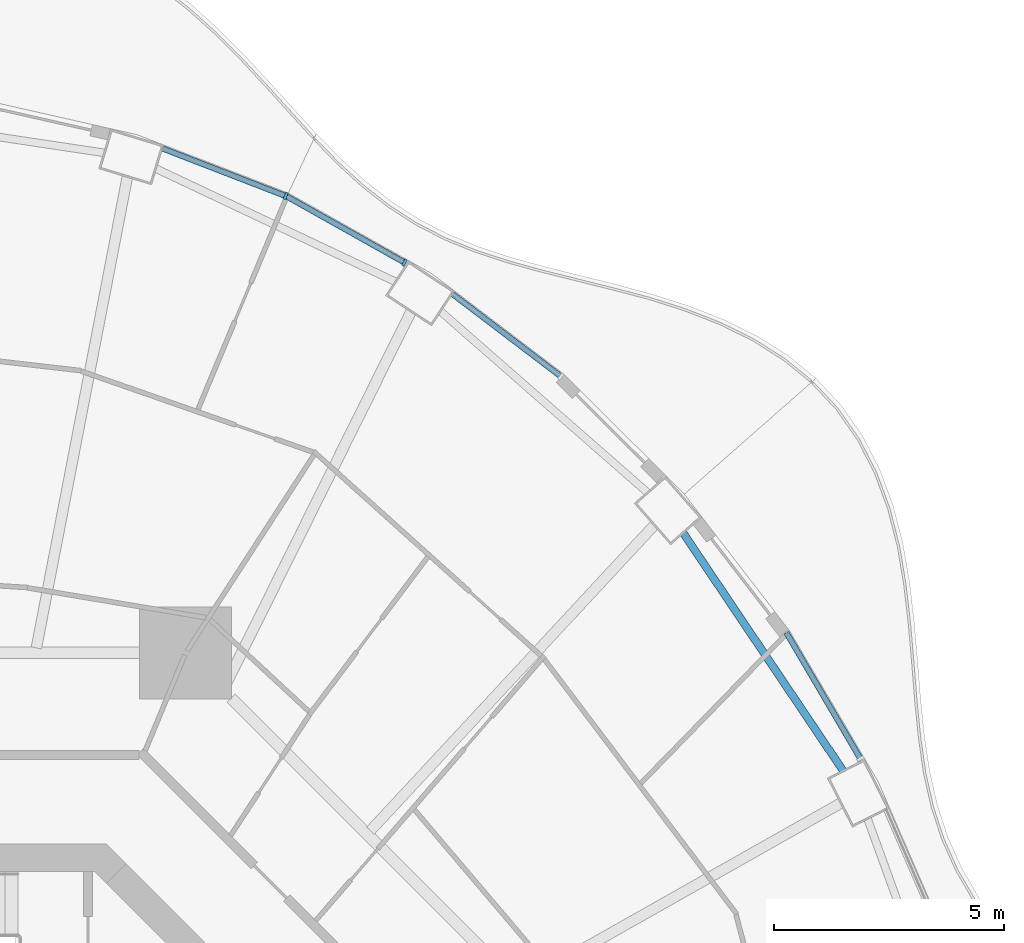
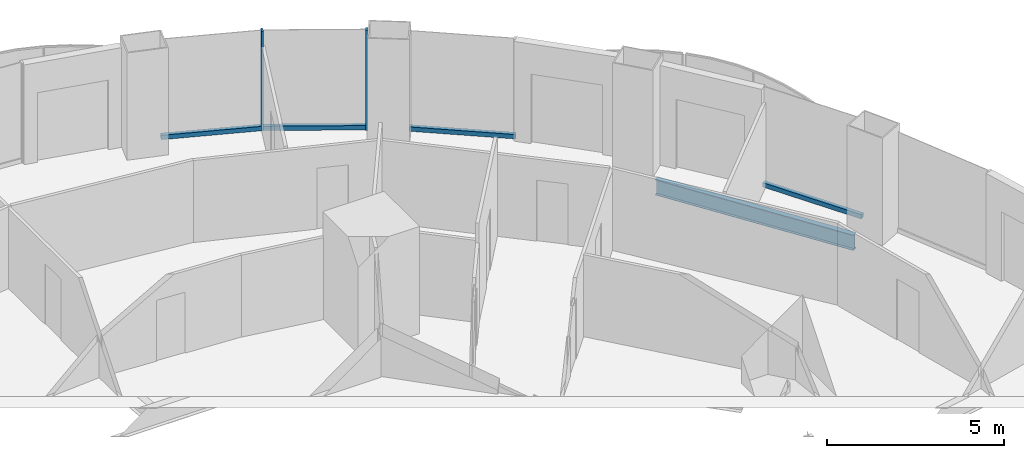
# One storey, part 9 of 20: 6 members, 1 beam, 4 elements without a shape of their own.
"""IFC4 building model written with IfcOpenShell, lengths in metres."""

from ifc_helpers import new_model, si_unit, direction, frame, origin, origin_2d, place, context, subcontext, project, spatial, rectangle, i_section, extrude, material, layer, layer_set, material_profile, profile_set, type_object, element, aggregate, save


model = new_model("IFC4")

# Units and contexts
model_context = context("Model", 3, precision=1e-05, world=origin(), true_north=direction((0.0, 1.0)))
body_context = subcontext(model_context, "Body", "Model", "MODEL_VIEW")
ifc_project = project(units=[si_unit("LENGTHUNIT", "METRE"), si_unit("AREAUNIT", "SQUARE_METRE"), si_unit("VOLUMEUNIT", "CUBIC_METRE"), si_unit("PLANEANGLEUNIT", "RADIAN"), si_unit("MASSUNIT", "GRAM", prefix="KILO")], contexts=[model_context])

# Site, building, storey
site_placement = place(None, origin())
site = spatial("IfcSite", under=ifc_project, at=site_placement, CompositionType="ELEMENT")
building_placement = place(site_placement, origin())
building = spatial("IfcBuilding", under=site, at=building_placement, Name="Nagisa Residences", CompositionType="ELEMENT")
storey_placement = place(building_placement, frame((0.0, 0.0, 141.800048828125)))
storey = spatial("IfcBuildingStorey", under=building, at=storey_placement, Name="L35", CompositionType="ELEMENT", Elevation=141.800048828125)

# Curtain wall, member
ifc_material_1 = material(Name="Concrete-coloured aluminium curtain wall system", Category="concrete")
ifc_layer = layer(ifc_material_1, 0.159912109375)
ifc_layer_set = layer_set([ifc_layer], Name="CW1 CURTAIN WALL")
curtain_wall_type = type_object("IfcCurtainWallType", Name="CW1 CURTAIN WALL", PredefinedType="NOTDEFINED", material=ifc_layer_set)
curtain_wall_1_placement = place(storey_placement, origin())
curtain_wall_1 = element("IfcCurtainWall", 1, at=curtain_wall_1_placement, inside=storey, type_object=curtain_wall_type, Name="cw:CW1:L35:08", PredefinedType="NOTDEFINED")
ifc_material_2 = material(Name="Concrete-coloured aluminium", Category="concrete")
ifc_material_profile_1 = material_profile(ifc_material_2, rectangle(XDim=0.159912109375, YDim=0.06005859375, at=origin_2d()), Name="CW1 MULLION 160x60")
ifc_profile_set_1 = profile_set([ifc_material_profile_1], Name="Concrete-coloured aluminium")
member_type_1 = type_object("IfcMemberType", Name="CW1 MULLION 160x60", PredefinedType="MULLION", material=ifc_profile_set_1)
member_1_placement = place(storey_placement, frame((10.87890625, 23.2705078125, 0.0), z_axis=(0.0, 0.0, 1.0), x_axis=(-0.489376918501, -0.872072377523, 0.0)))
member_1 = element("IfcMember", 2, at=member_1_placement, type_object=member_type_1, Name="CW1 mullion", PredefinedType="MULLION", context=body_context, shape_type="SweptSolid", body=[
    extrude(rectangle(XDim=0.159912109375, YDim=0.06005859375, at=origin_2d()), origin(), (0.0, 0.0, 1.0), 3.43994140625),
])

curtain_wall_2_placement = place(storey_placement, origin())
curtain_wall_2 = element("IfcCurtainWall", 3, at=curtain_wall_2_placement, inside=storey, type_object=curtain_wall_type, Name="cw:CW1:L35:09", PredefinedType="NOTDEFINED")
member_2_placement = place(storey_placement, frame((8.297607421875, 24.715087890625, 0.0), z_axis=(0.0, 0.0, 1.0), x_axis=(-0.360327770268, -0.932825759707, 0.0)))
member_2 = element("IfcMember", 4, at=member_2_placement, type_object=member_type_1, Name="CW1 mullion", PredefinedType="MULLION", context=body_context, shape_type="SweptSolid", body=[
    extrude(rectangle(XDim=0.159912109375, YDim=0.06005859375, at=origin_2d()), origin(), (0.0, 0.0, 1.0), 3.43994140625),
])

curtain_wall_3_placement = place(storey_placement, origin())
curtain_wall_3 = element("IfcCurtainWall", 5, at=curtain_wall_3_placement, inside=storey, type_object=curtain_wall_type, Name="cw:CW1:L35:04", PredefinedType="NOTDEFINED")
ifc_material_3 = material(Name="Concrete-coloured aluminium", Category="concrete")
ifc_material_profile_2 = material_profile(ifc_material_3, rectangle(XDim=0.1201171875, YDim=0.14990234375, at=origin_2d()), Name="CW1 TRANSOM 120x150")
ifc_profile_set_2 = profile_set([ifc_material_profile_2], Name="Concrete-coloured aluminium")
member_type_2 = type_object("IfcMemberType", Name="CW1 TRANSOM 120x150", PredefinedType="USERDEFINED", material=ifc_profile_set_2)
member_3_placement = place(storey_placement, frame((20.80712890625, 12.456787109375, 0.074951171875), z_axis=(-0.506348207891, 0.86232910908, 0.0), x_axis=(-0.86232910908, -0.506348207891, 0.0)))
member_3 = element("IfcMember", 6, at=member_3_placement, type_object=member_type_2, Name="CW1 transom", ObjectType="TRANSOM", PredefinedType="USERDEFINED", context=body_context, shape_type="SweptSolid", body=[
    extrude(rectangle(XDim=0.1201171875, YDim=0.14990234375, at=origin_2d()), origin(), (0.0, 0.0, 1.0), 3.208251953125),
])
aggregate(curtain_wall_3, [member_3])

curtain_wall_4_placement = place(storey_placement, origin())
curtain_wall_4 = element("IfcCurtainWall", 7, at=curtain_wall_4_placement, inside=storey, type_object=curtain_wall_type, Name="cw:CW1:L35:07", PredefinedType="NOTDEFINED")
member_4_placement = place(storey_placement, frame((14.30517578125, 20.77392578125, 0.074951171875), z_axis=(-0.796022231079, 0.605267385233, 0.0), x_axis=(-0.605267385233, -0.796022231079, 0.0)))
member_4 = element("IfcMember", 8, at=member_4_placement, type_object=member_type_2, Name="CW1 transom", ObjectType="TRANSOM", PredefinedType="USERDEFINED", context=body_context, shape_type="SweptSolid", body=[
    extrude(rectangle(XDim=0.1201171875, YDim=0.14990234375, at=origin_2d()), origin(), (0.0, 0.0, 1.0), 3.025634765625),
])
aggregate(curtain_wall_4, [member_4])

# Member
member_5_placement = place(storey_placement, frame((10.905029296875, 23.255859375, 0.074951171875), z_axis=(-0.872082282638, 0.489359267112, 0.0), x_axis=(-0.489359267112, -0.872082282638, 0.0)))
member_5 = element("IfcMember", 9, at=member_5_placement, type_object=member_type_2, Name="CW1 transom", ObjectType="TRANSOM", PredefinedType="USERDEFINED", context=body_context, shape_type="SweptSolid", body=[
    extrude(rectangle(XDim=0.1201171875, YDim=0.14990234375, at=origin_2d()), origin(), (0.0, 0.0, 1.0), 2.969482421875),
])

aggregate(curtain_wall_1, [member_1, member_5])

member_6_placement = place(storey_placement, frame((8.32568359375, 24.704345703125, 0.074951171875), z_axis=(-0.932845344347, 0.360277064952, 0.0), x_axis=(-0.360277064952, -0.932845344347, 0.0)))
member_6 = element("IfcMember", 10, at=member_6_placement, type_object=member_type_2, Name="CW1 transom", ObjectType="TRANSOM", PredefinedType="USERDEFINED", context=body_context, shape_type="SweptSolid", body=[
    extrude(rectangle(XDim=0.1201171875, YDim=0.14990234375, at=origin_2d()), origin(), (0.0, 0.0, 1.0), 2.92333984375),
])

aggregate(curtain_wall_2, [member_2, member_6])

# Beam
ifc_material_4 = material(Name="Steel ASTM A572 Gr 50", Category="steel")
ifc_material_profile_3 = material_profile(ifc_material_4, i_section(OverallWidth=0.166015625, OverallDepth=0.534912109375, WebThickness=0.01025390625, FlangeThickness=0.0166015625, at=origin_2d()), Name="W530x85")
ifc_profile_set_3 = profile_set([ifc_material_profile_3], Name="Steel ASTM A572 Gr 50")
beam_type = type_object("IfcBeamType", Name="Perimeter ring beam W530x85", PredefinedType="BEAM", material=ifc_profile_set_3)
beam_placement = place(storey_placement, frame((20.420654296875, 12.21484375, -0.527587890625), z_axis=(-0.558187951157, 0.82971453596, 0.0), x_axis=(-0.82971453596, -0.558187951157, 0.0)))
element("IfcBeam", 11, at=beam_placement, inside=storey, type_object=beam_type, Name="beam:L35:pb03", PredefinedType="BEAM", context=body_context, shape_type="SweptSolid", body=[
    extrude(i_section(OverallWidth=0.166015625, OverallDepth=0.534912109375, WebThickness=0.01025390625, FlangeThickness=0.0166015625, at=origin_2d()), origin(), (0.0, 0.0, 1.0), 6.24267578125),
])

save(model, "model.ifc")
